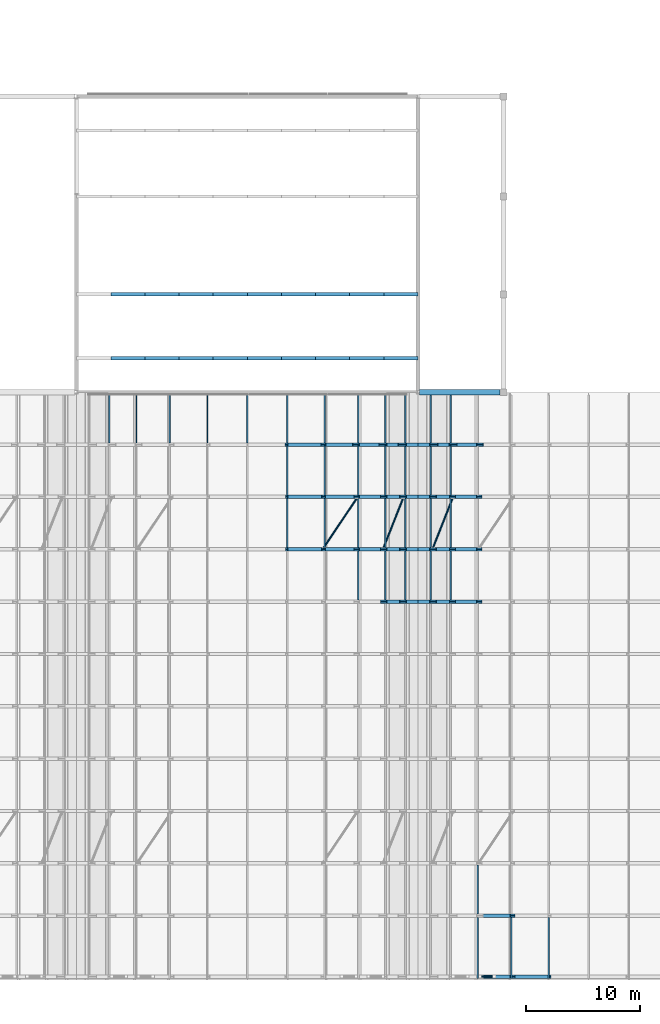
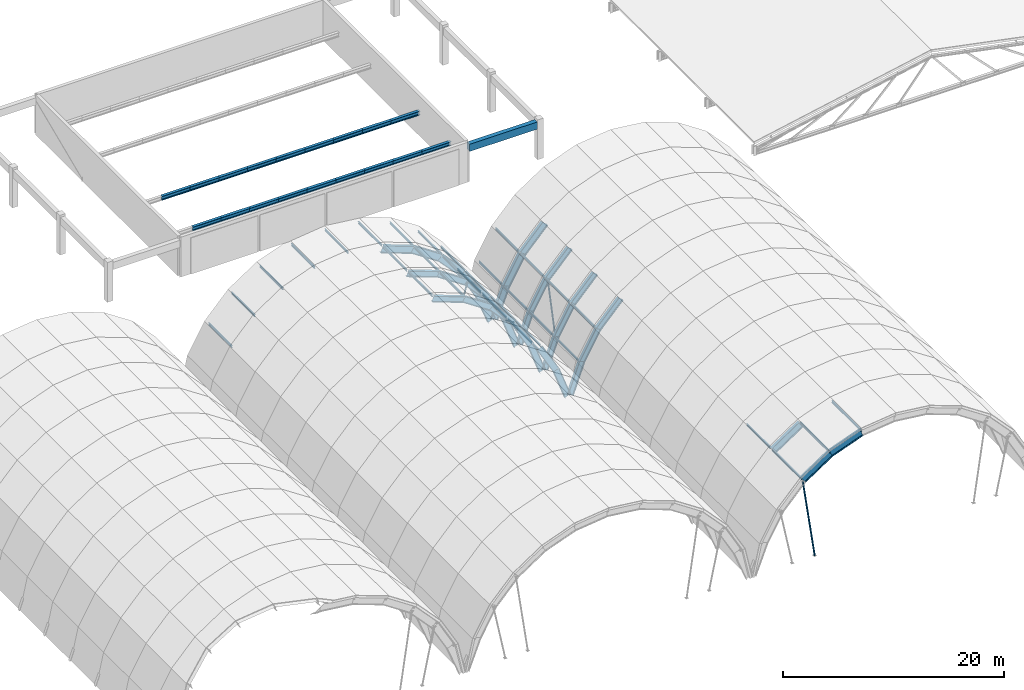
# One storey, part 13 of 47: 68 beams, 22 members.
"""IFC4 building model written with IfcOpenShell, lengths in metres."""

from ifc_helpers import new_model, si_unit, direction, frame, origin, origin_2d, place, context, subcontext, project, spatial, rectangle, hollow_circle, i_section, extrude, material, material_profile, profile_set, type_object, element, save


model = new_model("IFC4")

# Units and contexts
model_context = context("Model", 3, precision=1e-05, world=origin(), true_north=direction((0.0, 1.0)))
body_context = subcontext(model_context, "Body", "Model", "MODEL_VIEW")
ifc_project = project(units=[si_unit("LENGTHUNIT", "METRE"), si_unit("AREAUNIT", "SQUARE_METRE"), si_unit("VOLUMEUNIT", "CUBIC_METRE"), si_unit("PLANEANGLEUNIT", "RADIAN"), si_unit("MASSUNIT", "GRAM", prefix="KILO")], contexts=[model_context])

# Site, building, storey
site_placement = place(None, origin())
site = spatial("IfcSite", under=ifc_project, at=site_placement, CompositionType="ELEMENT")
building_placement = place(site_placement, origin())
building = spatial("IfcBuilding", under=site, at=building_placement, Name="Muzn Square Opera House", CompositionType="ELEMENT")
storey_placement = place(building_placement, frame((0.0, 0.0, 31.0)))
storey = spatial("IfcBuildingStorey", under=building, at=storey_placement, Name="RF-1", CompositionType="ELEMENT", Elevation=31.0)

# Beams
ifc_material_1 = material(Name="Steel S355", Category="steel")
ifc_material_profile_1 = material_profile(ifc_material_1, i_section(OverallWidth=0.300048828125, OverallDepth=0.800048828125, WebThickness=0.017578125, FlangeThickness=0.032958984375, FilletRadius=0.030029296875, at=origin_2d()), Name="HEB 800", Category="steel")
ifc_profile_set_1 = profile_set([ifc_material_profile_1], Name="Steel S355")
beam_type_1 = type_object("IfcBeamType", Name="Gable Arch Rib HEB800", PredefinedType="BEAM", material=ifc_profile_set_1)
for number, where, z_axis, x_axis, name in (
    (1, (91.432861328125, 68.0, -0.644287109375), (0.938647830501, 0.0, -0.344877152471), (0.0, 1.0, 0.0), "Barrel Vault Arch Rib V2-10-S07"),
    (2, (94.677490234375, 68.0, -1.83642578125), (0.832701668502, 0.0, -0.553721889827), (0.0, 1.0, 0.0), "Barrel Vault Arch Rib V2-10-S08"),
):
    element("IfcBeam", number, at=place(storey_placement, frame(where, z_axis=z_axis, x_axis=x_axis)), inside=storey, type_object=beam_type_1, Name=name, PredefinedType="BEAM", context=body_context, shape_type="SweptSolid", body=[
        extrude(i_section(OverallWidth=0.300048828125, OverallDepth=0.800048828125, WebThickness=0.017578125, FlangeThickness=0.032958984375, FilletRadius=0.030029296875, at=origin_2d()), origin(), (0.0, 0.0, 1.0), 3.456787109375),
    ])
beam_1_placement = place(storey_placement, frame((97.555908203125, 68.0, -3.75048828125), z_axis=(0.681076644636, 0.0, -0.732212130555), x_axis=(0.0, 1.0, 0.0)))
element("IfcBeam", 3, at=beam_1_placement, inside=storey, type_object=beam_type_1, Name="Barrel Vault Arch Rib V2-10-S09", PredefinedType="BEAM", context=body_context, shape_type="SweptSolid", body=[
    extrude(i_section(OverallWidth=0.300048828125, OverallDepth=0.800048828125, WebThickness=0.017578125, FlangeThickness=0.032958984375, FilletRadius=0.030029296875, at=origin_2d()), origin(), (0.0, 0.0, 1.0), 3.45654296875),
])
beam_2_placement = place(storey_placement, frame((99.91015625, 68.0, -6.281494140625), z_axis=(0.492117762624, 0.0, -0.870528636927), x_axis=(0.0, 1.0, 0.0)))
element("IfcBeam", 4, at=beam_2_placement, inside=storey, type_object=beam_type_1, Name="Barrel Vault Arch Rib V2-10-S10", PredefinedType="BEAM", context=body_context, shape_type="SweptSolid", body=[
    extrude(i_section(OverallWidth=0.300048828125, OverallDepth=0.800048828125, WebThickness=0.017578125, FlangeThickness=0.032958984375, FilletRadius=0.030029296875, at=origin_2d()), origin(), (0.0, 0.0, 1.0), 3.456787109375),
])
beam_3_placement = place(storey_placement, frame((101.611328125, 68.0, -9.290771484375), z_axis=(0.362708999619, 0.0, -0.931902452832), x_axis=(0.0, 1.0, 0.0)))
element("IfcBeam", 5, at=beam_3_placement, inside=storey, type_object=beam_type_1, Name="Barrel Vault Arch Rib V2-10-S11", PredefinedType="BEAM", context=body_context, shape_type="SweptSolid", body=[
    extrude(i_section(OverallWidth=0.300048828125, OverallDepth=0.800048828125, WebThickness=0.017578125, FlangeThickness=0.032958984375, FilletRadius=0.030029296875, at=origin_2d()), origin(), (0.0, 0.0, 1.0), 3.49755859375),
])
for number, where, z_axis, x_axis, name in (
    (6, (108.444091796875, 21.25, -3.75048828125), (0.832701668502, 0.0, 0.553721889827), (0.0, 1.0, 0.0), "Barrel Vault Arch Rib V3-00-S03"),
    (7, (111.322509765625, 21.25, -1.83642578125), (0.938647830501, 0.0, 0.344877152471), (0.0, 1.0, 0.0), "Barrel Vault Arch Rib V3-00-S04"),
    (8, (108.444091796875, 26.60009765625, -3.75048828125), (0.832701668502, 0.0, 0.553721889827), (0.0, 1.0, 0.0), "Barrel Vault Arch Rib V3-01-S03"),
):
    element("IfcBeam", number, at=place(storey_placement, frame(where, z_axis=z_axis, x_axis=x_axis)), inside=storey, type_object=beam_type_1, Name=name, PredefinedType="BEAM", context=body_context, shape_type="SweptSolid", body=[
        extrude(i_section(OverallWidth=0.300048828125, OverallDepth=0.800048828125, WebThickness=0.017578125, FlangeThickness=0.032958984375, FilletRadius=0.030029296875, at=origin_2d()), origin(), (0.0, 0.0, 1.0), 3.456787109375),
    ])
beam_4_placement = place(storey_placement, frame((103.1201171875, 68.0, -12.550048828125), z_axis=(0.362708999619, 0.0, 0.931902452832), x_axis=(0.0, 1.0, 0.0)))
element("IfcBeam", 9, at=beam_4_placement, inside=storey, type_object=beam_type_1, Name="Barrel Vault Arch Rib V3-10-S00", PredefinedType="BEAM", context=body_context, shape_type="SweptSolid", body=[
    extrude(i_section(OverallWidth=0.300048828125, OverallDepth=0.800048828125, WebThickness=0.017578125, FlangeThickness=0.032958984375, FilletRadius=0.030029296875, at=origin_2d()), origin(), (0.0, 0.0, 1.0), 3.49755859375),
])
beam_5_placement = place(storey_placement, frame((104.388671875, 68.0, -9.290771484375), z_axis=(0.492117762624, 0.0, 0.870528636927), x_axis=(0.0, 1.0, 0.0)))
element("IfcBeam", 10, at=beam_5_placement, inside=storey, type_object=beam_type_1, Name="Barrel Vault Arch Rib V3-10-S01", PredefinedType="BEAM", context=body_context, shape_type="SweptSolid", body=[
    extrude(i_section(OverallWidth=0.300048828125, OverallDepth=0.800048828125, WebThickness=0.017578125, FlangeThickness=0.032958984375, FilletRadius=0.030029296875, at=origin_2d()), origin(), (0.0, 0.0, 1.0), 3.456787109375),
])
beam_6_placement = place(storey_placement, frame((106.08984375, 68.0, -6.281494140625), z_axis=(0.681076644636, 0.0, 0.732212130555), x_axis=(0.0, 1.0, 0.0)))
element("IfcBeam", 11, at=beam_6_placement, inside=storey, type_object=beam_type_1, Name="Barrel Vault Arch Rib V3-10-S02", PredefinedType="BEAM", context=body_context, shape_type="SweptSolid", body=[
    extrude(i_section(OverallWidth=0.300048828125, OverallDepth=0.800048828125, WebThickness=0.017578125, FlangeThickness=0.032958984375, FilletRadius=0.030029296875, at=origin_2d()), origin(), (0.0, 0.0, 1.0), 3.45654296875),
])
ifc_material_2 = material(Name="Concrete C40/50", Category="concrete")
ifc_material_profile_2 = material_profile(ifc_material_2, rectangle(XDim=0.449951171875, YDim=0.800048828125, at=origin_2d()), Name="RCB 450x800", Category="concrete")
ifc_profile_set_2 = profile_set([ifc_material_profile_2], Name="Concrete C40/50")
beam_type_2 = type_object("IfcBeamType", Name="Primary Girder 450x800", PredefinedType="BEAM", material=ifc_profile_set_2)
beam_7_placement = place(storey_placement, frame((103.14208984375, 72.60009765625, 3.75), z_axis=(1.0, 0.0, 0.0), x_axis=(0.0, 1.0, 0.0)))
element("IfcBeam", 12, at=beam_7_placement, inside=storey, type_object=beam_type_2, Name="Primary Girder BM-RF1-BM-PG800-1031_726_1102_726-2769", PredefinedType="BEAM", context=body_context, shape_type="SweptSolid", body=[
    extrude(rectangle(XDim=0.449951171875, YDim=0.800048828125, at=origin_2d()), origin(), (0.0, 0.0, 1.0), 7.06591796875),
])
ifc_material_profile_3 = material_profile(ifc_material_1, i_section(OverallWidth=0.1201171875, OverallDepth=0.239990234375, WebThickness=0.006103515625, FlangeThickness=0.009765625, FilletRadius=0.014892578125, at=origin_2d()), Name="IPE 240", Category="steel")
ifc_profile_set_3 = profile_set([ifc_material_profile_3], Name="Steel S355")
beam_type_3 = type_object("IfcBeamType", Name="Roof Purlin IPE240", PredefinedType="USERDEFINED", material=ifc_profile_set_3)
for number, where, z_axis, x_axis, name in (
    (13, (97.7373046875, 54.340087890625, -3.537109375), (0.0, 1.0, 0.0), (-1.0, 0.0, 0.0), "Barrel Vault Roof Purlin V2-07-P18"),
    (14, (100.13623046875, 54.340087890625, -6.1162109375), (0.0, 1.0, 0.0), (-1.0, 0.0, 0.0), "Barrel Vault Roof Purlin V2-07-P20"),
    (15, (101.869384765625, 54.340087890625, -9.1826171875), (0.0, 1.0, 0.0), (-1.0, 0.0, 0.0), "Barrel Vault Roof Purlin V2-07-P22"),
):
    element("IfcBeam", number, at=place(storey_placement, frame(where, z_axis=z_axis, x_axis=x_axis)), inside=storey, type_object=beam_type_3, Name=name, ObjectType="PURLIN", PredefinedType="USERDEFINED", context=body_context, shape_type="SweptSolid", body=[
        extrude(i_section(OverallWidth=0.1201171875, OverallDepth=0.239990234375, WebThickness=0.006103515625, FlangeThickness=0.009765625, FilletRadius=0.014892578125, at=origin_2d()), origin(), (0.0, 0.0, 1.0), 4.31982421875),
    ])
for number, where, z_axis, x_axis, name in (
    (16, (91.498046875, 58.93994140625, -0.3720703125), (0.0, 1.0, 0.0), (-1.0, 0.0, 0.0), "Barrel Vault Roof Purlin V2-08-P14"),
    (17, (94.80419921875, 58.93994140625, -1.5869140625), (0.0, 1.0, 0.0), (-1.0, 0.0, 0.0), "Barrel Vault Roof Purlin V2-08-P16"),
    (18, (97.7373046875, 58.93994140625, -3.537109375), (0.0, 1.0, 0.0), (-1.0, 0.0, 0.0), "Barrel Vault Roof Purlin V2-08-P18"),
    (19, (100.13623046875, 58.93994140625, -6.1162109375), (0.0, 1.0, 0.0), (-1.0, 0.0, 0.0), "Barrel Vault Roof Purlin V2-08-P20"),
    (20, (101.869384765625, 58.93994140625, -9.1826171875), (0.0, 1.0, 0.0), (-1.0, 0.0, 0.0), "Barrel Vault Roof Purlin V2-08-P22"),
    (21, (91.498046875, 63.5400390625, -0.3720703125), (0.0, 1.0, 0.0), (-1.0, 0.0, 0.0), "Barrel Vault Roof Purlin V2-09-P14"),
    (22, (94.80419921875, 63.5400390625, -1.5869140625), (0.0, 1.0, 0.0), (-1.0, 0.0, 0.0), "Barrel Vault Roof Purlin V2-09-P16"),
    (23, (97.7373046875, 63.5400390625, -3.537109375), (0.0, 1.0, 0.0), (-1.0, 0.0, 0.0), "Barrel Vault Roof Purlin V2-09-P18"),
    (24, (100.13623046875, 63.5400390625, -6.1162109375), (0.0, 1.0, 0.0), (-1.0, 0.0, 0.0), "Barrel Vault Roof Purlin V2-09-P20"),
    (25, (101.869384765625, 63.5400390625, -9.1826171875), (0.0, 1.0, 0.0), (-1.0, 0.0, 0.0), "Barrel Vault Roof Purlin V2-09-P22"),
):
    element("IfcBeam", number, at=place(storey_placement, frame(where, z_axis=z_axis, x_axis=x_axis)), inside=storey, type_object=beam_type_3, Name=name, ObjectType="PURLIN", PredefinedType="USERDEFINED", context=body_context, shape_type="SweptSolid", body=[
        extrude(i_section(OverallWidth=0.1201171875, OverallDepth=0.239990234375, WebThickness=0.006103515625, FlangeThickness=0.009765625, FilletRadius=0.014892578125, at=origin_2d()), origin(), (0.0, 0.0, 1.0), 4.320068359375),
    ])
for number, where, z_axis, x_axis, name in (
    (26, (75.86376953125, 68.139892578125, -6.1162109375), (0.0, 1.0, 0.0), (-1.0, 0.0, 0.0), "Barrel Vault Roof Purlin V2-10-P04"),
    (27, (78.2626953125, 68.139892578125, -3.537109375), (0.0, 1.0, 0.0), (-1.0, 0.0, 0.0), "Barrel Vault Roof Purlin V2-10-P06"),
    (28, (81.19580078125, 68.139892578125, -1.5869140625), (0.0, 1.0, 0.0), (-1.0, 0.0, 0.0), "Barrel Vault Roof Purlin V2-10-P08"),
    (29, (84.501953125, 68.139892578125, -0.3720703125), (0.0, 1.0, 0.0), (-1.0, 0.0, 0.0), "Barrel Vault Roof Purlin V2-10-P10"),
    (30, (88.0, 68.139892578125, 0.0400390625), (0.0, 1.0, 0.0), (-1.0, 0.0, 0.0), "Barrel Vault Roof Purlin V2-10-P12"),
    (31, (91.498046875, 68.139892578125, -0.3720703125), (0.0, 1.0, 0.0), (-1.0, 0.0, 0.0), "Barrel Vault Roof Purlin V2-10-P14"),
    (32, (94.80419921875, 68.139892578125, -1.5869140625), (0.0, 1.0, 0.0), (-1.0, 0.0, 0.0), "Barrel Vault Roof Purlin V2-10-P16"),
    (33, (97.7373046875, 68.139892578125, -3.537109375), (0.0, 1.0, 0.0), (-1.0, 0.0, 0.0), "Barrel Vault Roof Purlin V2-10-P18"),
    (34, (100.13623046875, 68.139892578125, -6.1162109375), (0.0, 1.0, 0.0), (-1.0, 0.0, 0.0), "Barrel Vault Roof Purlin V2-10-P20"),
    (35, (101.869384765625, 68.139892578125, -9.1826171875), (0.0, 1.0, 0.0), (-1.0, 0.0, 0.0), "Barrel Vault Roof Purlin V2-10-P22"),
):
    element("IfcBeam", number, at=place(storey_placement, frame(where, z_axis=z_axis, x_axis=x_axis)), inside=storey, type_object=beam_type_3, Name=name, ObjectType="PURLIN", PredefinedType="USERDEFINED", context=body_context, shape_type="SweptSolid", body=[
        extrude(i_section(OverallWidth=0.1201171875, OverallDepth=0.239990234375, WebThickness=0.006103515625, FlangeThickness=0.009765625, FilletRadius=0.014892578125, at=origin_2d()), origin(), (0.0, 0.0, 1.0), 4.239990234375),
    ])
for number, where, z_axis, x_axis, name in (
    (36, (108.2626953125, 21.090087890625, -3.537109375), (0.0, 1.0, 0.0), (-1.0, 0.0, 0.0), "Barrel Vault Roof Purlin V3-00-P06"),
    (37, (111.19580078125, 21.090087890625, -1.5869140625), (0.0, 1.0, 0.0), (-1.0, 0.0, 0.0), "Barrel Vault Roof Purlin V3-00-P08"),
    (38, (114.501953125, 21.090087890625, -0.3720703125), (0.0, 1.0, 0.0), (-1.0, 0.0, 0.0), "Barrel Vault Roof Purlin V3-00-P10"),
):
    element("IfcBeam", number, at=place(storey_placement, frame(where, z_axis=z_axis, x_axis=x_axis)), inside=storey, type_object=beam_type_3, Name=name, ObjectType="PURLIN", PredefinedType="USERDEFINED", context=body_context, shape_type="SweptSolid", body=[
        extrude(i_section(OverallWidth=0.1201171875, OverallDepth=0.239990234375, WebThickness=0.006103515625, FlangeThickness=0.009765625, FilletRadius=0.014892578125, at=origin_2d()), origin(), (0.0, 0.0, 1.0), 5.369873046875),
    ])
beam_8_placement = place(storey_placement, frame((108.2626953125, 26.739990234375, -3.537109375), z_axis=(0.0, 1.0, 0.0), x_axis=(-1.0, 0.0, 0.0)))
element("IfcBeam", 39, at=beam_8_placement, inside=storey, type_object=beam_type_3, Name="Barrel Vault Roof Purlin V3-01-P06", ObjectType="PURLIN", PredefinedType="USERDEFINED", context=body_context, shape_type="SweptSolid", body=[
    extrude(i_section(OverallWidth=0.1201171875, OverallDepth=0.239990234375, WebThickness=0.006103515625, FlangeThickness=0.009765625, FilletRadius=0.014892578125, at=origin_2d()), origin(), (0.0, 0.0, 1.0), 4.320068359375),
])
for number, where, z_axis, x_axis, name in (
    (40, (104.130615234375, 54.340087890625, -9.1826171875), (0.0, 1.0, 0.0), (-1.0, 0.0, 0.0), "Barrel Vault Roof Purlin V3-07-P02"),
    (41, (105.86376953125, 54.340087890625, -6.1162109375), (0.0, 1.0, 0.0), (-1.0, 0.0, 0.0), "Barrel Vault Roof Purlin V3-07-P04"),
):
    element("IfcBeam", number, at=place(storey_placement, frame(where, z_axis=z_axis, x_axis=x_axis)), inside=storey, type_object=beam_type_3, Name=name, ObjectType="PURLIN", PredefinedType="USERDEFINED", context=body_context, shape_type="SweptSolid", body=[
        extrude(i_section(OverallWidth=0.1201171875, OverallDepth=0.239990234375, WebThickness=0.006103515625, FlangeThickness=0.009765625, FilletRadius=0.014892578125, at=origin_2d()), origin(), (0.0, 0.0, 1.0), 4.31982421875),
    ])
for number, where, z_axis, x_axis, name in (
    (42, (104.130615234375, 58.93994140625, -9.1826171875), (0.0, 1.0, 0.0), (-1.0, 0.0, 0.0), "Barrel Vault Roof Purlin V3-08-P02"),
    (43, (105.86376953125, 58.93994140625, -6.1162109375), (0.0, 1.0, 0.0), (-1.0, 0.0, 0.0), "Barrel Vault Roof Purlin V3-08-P04"),
    (44, (104.130615234375, 63.5400390625, -9.1826171875), (0.0, 1.0, 0.0), (-1.0, 0.0, 0.0), "Barrel Vault Roof Purlin V3-09-P02"),
    (45, (105.86376953125, 63.5400390625, -6.1162109375), (0.0, 1.0, 0.0), (-1.0, 0.0, 0.0), "Barrel Vault Roof Purlin V3-09-P04"),
):
    element("IfcBeam", number, at=place(storey_placement, frame(where, z_axis=z_axis, x_axis=x_axis)), inside=storey, type_object=beam_type_3, Name=name, ObjectType="PURLIN", PredefinedType="USERDEFINED", context=body_context, shape_type="SweptSolid", body=[
        extrude(i_section(OverallWidth=0.1201171875, OverallDepth=0.239990234375, WebThickness=0.006103515625, FlangeThickness=0.009765625, FilletRadius=0.014892578125, at=origin_2d()), origin(), (0.0, 0.0, 1.0), 4.320068359375),
    ])
for number, where, z_axis, x_axis, name in (
    (46, (104.130615234375, 68.139892578125, -9.1826171875), (0.0, 1.0, 0.0), (-1.0, 0.0, 0.0), "Barrel Vault Roof Purlin V3-10-P02"),
    (47, (105.86376953125, 68.139892578125, -6.1162109375), (0.0, 1.0, 0.0), (-1.0, 0.0, 0.0), "Barrel Vault Roof Purlin V3-10-P04"),
):
    element("IfcBeam", number, at=place(storey_placement, frame(where, z_axis=z_axis, x_axis=x_axis)), inside=storey, type_object=beam_type_3, Name=name, ObjectType="PURLIN", PredefinedType="USERDEFINED", context=body_context, shape_type="SweptSolid", body=[
        extrude(i_section(OverallWidth=0.1201171875, OverallDepth=0.239990234375, WebThickness=0.006103515625, FlangeThickness=0.009765625, FilletRadius=0.014892578125, at=origin_2d()), origin(), (0.0, 0.0, 1.0), 4.239990234375),
    ])

# Members
ifc_material_profile_4 = material_profile(ifc_material_1, i_section(OverallWidth=0.300048828125, OverallDepth=0.449951171875, WebThickness=0.013916015625, FlangeThickness=0.02587890625, FilletRadius=0.027099609375, at=origin_2d()), Name="HEB 450", Category="steel")
ifc_profile_set_4 = profile_set([ifc_material_profile_4], Name="Steel S355")
member_type_1 = type_object("IfcMemberType", Name="Stage Truss Chord HEB450", PredefinedType="CHORD", material=ifc_profile_set_4)
for number, where, z_axis, x_axis, name in (
    (48, (76.0, 75.60009765625, 2.39990234375), (1.0, 0.0, 0.0), (0.0, 1.0, 0.0), "Stage Roof Truss Bottom Chord T1-1"),
    (49, (79.0, 75.60009765625, 2.39990234375), (1.0, 0.0, 0.0), (0.0, 1.0, 0.0), "Stage Roof Truss Bottom Chord T1-2"),
    (50, (82.0, 75.60009765625, 2.39990234375), (1.0, 0.0, 0.0), (0.0, 1.0, 0.0), "Stage Roof Truss Bottom Chord T1-3"),
    (51, (85.0, 75.60009765625, 2.39990234375), (1.0, 0.0, 0.0), (0.0, 1.0, 0.0), "Stage Roof Truss Bottom Chord T1-4"),
    (52, (88.0, 75.60009765625, 2.39990234375), (1.0, 0.0, 0.0), (0.0, 1.0, 0.0), "Stage Roof Truss Bottom Chord T1-5"),
    (53, (91.0, 75.60009765625, 2.39990234375), (1.0, 0.0, 0.0), (0.0, 1.0, 0.0), "Stage Roof Truss Bottom Chord T1-6"),
    (54, (94.0, 75.60009765625, 2.39990234375), (1.0, 0.0, 0.0), (0.0, 1.0, 0.0), "Stage Roof Truss Bottom Chord T1-7"),
    (55, (97.0, 75.60009765625, 2.39990234375), (1.0, 0.0, 0.0), (0.0, 1.0, 0.0), "Stage Roof Truss Bottom Chord T1-8"),
    (56, (100.0, 75.60009765625, 2.39990234375), (1.0, 0.0, 0.0), (0.0, 1.0, 0.0), "Stage Roof Truss Bottom Chord T1-9"),
    (57, (76.0, 81.199951171875, 2.39990234375), (1.0, 0.0, 0.0), (0.0, 1.0, 0.0), "Stage Roof Truss Bottom Chord T2-1"),
    (58, (79.0, 81.199951171875, 2.39990234375), (1.0, 0.0, 0.0), (0.0, 1.0, 0.0), "Stage Roof Truss Bottom Chord T2-2"),
    (59, (82.0, 81.199951171875, 2.39990234375), (1.0, 0.0, 0.0), (0.0, 1.0, 0.0), "Stage Roof Truss Bottom Chord T2-3"),
    (60, (85.0, 81.199951171875, 2.39990234375), (1.0, 0.0, 0.0), (0.0, 1.0, 0.0), "Stage Roof Truss Bottom Chord T2-4"),
    (61, (88.0, 81.199951171875, 2.39990234375), (1.0, 0.0, 0.0), (0.0, 1.0, 0.0), "Stage Roof Truss Bottom Chord T2-5"),
    (62, (91.0, 81.199951171875, 2.39990234375), (1.0, 0.0, 0.0), (0.0, 1.0, 0.0), "Stage Roof Truss Bottom Chord T2-6"),
    (63, (94.0, 81.199951171875, 2.39990234375), (1.0, 0.0, 0.0), (0.0, 1.0, 0.0), "Stage Roof Truss Bottom Chord T2-7"),
    (64, (97.0, 81.199951171875, 2.39990234375), (1.0, 0.0, 0.0), (0.0, 1.0, 0.0), "Stage Roof Truss Bottom Chord T2-8"),
    (65, (100.0, 81.199951171875, 2.39990234375), (1.0, 0.0, 0.0), (0.0, 1.0, 0.0), "Stage Roof Truss Bottom Chord T2-9"),
):
    element("IfcMember", number, at=place(storey_placement, frame(where, z_axis=z_axis, x_axis=x_axis)), inside=storey, type_object=member_type_1, Name=name, PredefinedType="CHORD", context=body_context, shape_type="SweptSolid", body=[
        extrude(i_section(OverallWidth=0.300048828125, OverallDepth=0.449951171875, WebThickness=0.013916015625, FlangeThickness=0.02587890625, FilletRadius=0.027099609375, at=origin_2d()), origin(), (0.0, 0.0, 1.0), 3.0),
    ])

# Beams
ifc_material_profile_5 = material_profile(ifc_material_1, i_section(OverallWidth=0.300048828125, OverallDepth=0.64990234375, WebThickness=0.01611328125, FlangeThickness=0.031005859375, FilletRadius=0.027099609375, at=origin_2d()), Name="HEB 650", Category="steel")
ifc_profile_set_5 = profile_set([ifc_material_profile_5], Name="Steel S355")
beam_type_4 = type_object("IfcBeamType", Name="Vault Arch Rib HEB650", PredefinedType="BEAM", material=ifc_profile_set_5)
beam_9_placement = place(storey_placement, frame((99.970703125, 54.199951171875, -6.2373046875), z_axis=(0.492115144444, 0.0, -0.870530117003), x_axis=(0.0, 1.0, 0.0)))
element("IfcBeam", 66, at=beam_9_placement, inside=storey, type_object=beam_type_4, Name="Barrel Vault Arch Rib V2-07-S10", PredefinedType="BEAM", context=body_context, shape_type="SweptSolid", body=[
    extrude(i_section(OverallWidth=0.300048828125, OverallDepth=0.64990234375, WebThickness=0.01611328125, FlangeThickness=0.031005859375, FilletRadius=0.027099609375, at=origin_2d()), origin(), (0.0, 0.0, 1.0), 3.47412109375),
])
beam_10_placement = place(storey_placement, frame((101.680419921875, 54.199951171875, -9.26171875), z_axis=(0.342678144973, 0.0, -0.93945286681), x_axis=(0.0, 1.0, 0.0)))
element("IfcBeam", 67, at=beam_10_placement, inside=storey, type_object=beam_type_4, Name="Barrel Vault Arch Rib V2-07-S11", PredefinedType="BEAM", context=body_context, shape_type="SweptSolid", body=[
    extrude(i_section(OverallWidth=0.300048828125, OverallDepth=0.64990234375, WebThickness=0.01611328125, FlangeThickness=0.031005859375, FilletRadius=0.027099609375, at=origin_2d()), origin(), (0.0, 0.0, 1.0), 3.500244140625),
])
beam_11_placement = place(storey_placement, frame((91.450439453125, 58.800048828125, -0.571533203125), z_axis=(0.938661867851, 0.0, -0.344838944789), x_axis=(0.0, 1.0, 0.0)))
element("IfcBeam", 68, at=beam_11_placement, inside=storey, type_object=beam_type_4, Name="Barrel Vault Arch Rib V2-08-S07", PredefinedType="BEAM", context=body_context, shape_type="SweptSolid", body=[
    extrude(i_section(OverallWidth=0.300048828125, OverallDepth=0.64990234375, WebThickness=0.01611328125, FlangeThickness=0.031005859375, FilletRadius=0.027099609375, at=origin_2d()), origin(), (0.0, 0.0, 1.0), 3.47412109375),
])
for number, where, z_axis, x_axis, name in (
    (69, (94.71142578125, 58.800048828125, -1.76953125), (0.832698370736, 0.0, -0.553726849063), (0.0, 1.0, 0.0), "Barrel Vault Arch Rib V2-08-S08"),
    (70, (97.6044921875, 58.800048828125, -3.693359375), (0.681065393401, 0.0, -0.732222595876), (0.0, 1.0, 0.0), "Barrel Vault Arch Rib V2-08-S09"),
):
    element("IfcBeam", number, at=place(storey_placement, frame(where, z_axis=z_axis, x_axis=x_axis)), inside=storey, type_object=beam_type_4, Name=name, PredefinedType="BEAM", context=body_context, shape_type="SweptSolid", body=[
        extrude(i_section(OverallWidth=0.300048828125, OverallDepth=0.64990234375, WebThickness=0.01611328125, FlangeThickness=0.031005859375, FilletRadius=0.027099609375, at=origin_2d()), origin(), (0.0, 0.0, 1.0), 3.474365234375),
    ])
beam_12_placement = place(storey_placement, frame((99.970703125, 58.800048828125, -6.2373046875), z_axis=(0.492115144444, 0.0, -0.870530117003), x_axis=(0.0, 1.0, 0.0)))
element("IfcBeam", 71, at=beam_12_placement, inside=storey, type_object=beam_type_4, Name="Barrel Vault Arch Rib V2-08-S10", PredefinedType="BEAM", context=body_context, shape_type="SweptSolid", body=[
    extrude(i_section(OverallWidth=0.300048828125, OverallDepth=0.64990234375, WebThickness=0.01611328125, FlangeThickness=0.031005859375, FilletRadius=0.027099609375, at=origin_2d()), origin(), (0.0, 0.0, 1.0), 3.47412109375),
])
beam_13_placement = place(storey_placement, frame((101.680419921875, 58.800048828125, -9.26171875), z_axis=(0.342678144973, 0.0, -0.93945286681), x_axis=(0.0, 1.0, 0.0)))
element("IfcBeam", 72, at=beam_13_placement, inside=storey, type_object=beam_type_4, Name="Barrel Vault Arch Rib V2-08-S11", PredefinedType="BEAM", context=body_context, shape_type="SweptSolid", body=[
    extrude(i_section(OverallWidth=0.300048828125, OverallDepth=0.64990234375, WebThickness=0.01611328125, FlangeThickness=0.031005859375, FilletRadius=0.027099609375, at=origin_2d()), origin(), (0.0, 0.0, 1.0), 3.500244140625),
])
beam_14_placement = place(storey_placement, frame((91.450439453125, 63.39990234375, -0.571533203125), z_axis=(0.938661867851, 0.0, -0.344838944789), x_axis=(0.0, 1.0, 0.0)))
element("IfcBeam", 73, at=beam_14_placement, inside=storey, type_object=beam_type_4, Name="Barrel Vault Arch Rib V2-09-S07", PredefinedType="BEAM", context=body_context, shape_type="SweptSolid", body=[
    extrude(i_section(OverallWidth=0.300048828125, OverallDepth=0.64990234375, WebThickness=0.01611328125, FlangeThickness=0.031005859375, FilletRadius=0.027099609375, at=origin_2d()), origin(), (0.0, 0.0, 1.0), 3.47412109375),
])
for number, where, z_axis, x_axis, name in (
    (74, (94.71142578125, 63.39990234375, -1.76953125), (0.832698370736, 0.0, -0.553726849063), (0.0, 1.0, 0.0), "Barrel Vault Arch Rib V2-09-S08"),
    (75, (97.6044921875, 63.39990234375, -3.693359375), (0.681065393401, 0.0, -0.732222595876), (0.0, 1.0, 0.0), "Barrel Vault Arch Rib V2-09-S09"),
):
    element("IfcBeam", number, at=place(storey_placement, frame(where, z_axis=z_axis, x_axis=x_axis)), inside=storey, type_object=beam_type_4, Name=name, PredefinedType="BEAM", context=body_context, shape_type="SweptSolid", body=[
        extrude(i_section(OverallWidth=0.300048828125, OverallDepth=0.64990234375, WebThickness=0.01611328125, FlangeThickness=0.031005859375, FilletRadius=0.027099609375, at=origin_2d()), origin(), (0.0, 0.0, 1.0), 3.474365234375),
    ])
beam_15_placement = place(storey_placement, frame((99.970703125, 63.39990234375, -6.2373046875), z_axis=(0.492115144444, 0.0, -0.870530117003), x_axis=(0.0, 1.0, 0.0)))
element("IfcBeam", 76, at=beam_15_placement, inside=storey, type_object=beam_type_4, Name="Barrel Vault Arch Rib V2-09-S10", PredefinedType="BEAM", context=body_context, shape_type="SweptSolid", body=[
    extrude(i_section(OverallWidth=0.300048828125, OverallDepth=0.64990234375, WebThickness=0.01611328125, FlangeThickness=0.031005859375, FilletRadius=0.027099609375, at=origin_2d()), origin(), (0.0, 0.0, 1.0), 3.47412109375),
])
for number, where, z_axis, x_axis, name in (
    (77, (101.680419921875, 63.39990234375, -9.26171875), (0.342678144973, 0.0, -0.93945286681), (0.0, 1.0, 0.0), "Barrel Vault Arch Rib V2-09-S11"),
    (78, (103.1201171875, 54.199951171875, -12.550048828125), (0.342678144973, 0.0, 0.93945286681), (0.0, 1.0, 0.0), "Barrel Vault Arch Rib V3-07-S00"),
):
    element("IfcBeam", number, at=place(storey_placement, frame(where, z_axis=z_axis, x_axis=x_axis)), inside=storey, type_object=beam_type_4, Name=name, PredefinedType="BEAM", context=body_context, shape_type="SweptSolid", body=[
        extrude(i_section(OverallWidth=0.300048828125, OverallDepth=0.64990234375, WebThickness=0.01611328125, FlangeThickness=0.031005859375, FilletRadius=0.027099609375, at=origin_2d()), origin(), (0.0, 0.0, 1.0), 3.500244140625),
    ])
beam_16_placement = place(storey_placement, frame((104.319580078125, 54.199951171875, -9.26171875), z_axis=(0.492115144444, 0.0, 0.870530117003), x_axis=(0.0, 1.0, 0.0)))
element("IfcBeam", 79, at=beam_16_placement, inside=storey, type_object=beam_type_4, Name="Barrel Vault Arch Rib V3-07-S01", PredefinedType="BEAM", context=body_context, shape_type="SweptSolid", body=[
    extrude(i_section(OverallWidth=0.300048828125, OverallDepth=0.64990234375, WebThickness=0.01611328125, FlangeThickness=0.031005859375, FilletRadius=0.027099609375, at=origin_2d()), origin(), (0.0, 0.0, 1.0), 3.47412109375),
])
beam_17_placement = place(storey_placement, frame((106.029296875, 54.199951171875, -6.2373046875), z_axis=(0.681065393401, 0.0, 0.732222595876), x_axis=(0.0, 1.0, 0.0)))
element("IfcBeam", 80, at=beam_17_placement, inside=storey, type_object=beam_type_4, Name="Barrel Vault Arch Rib V3-07-S02", PredefinedType="BEAM", context=body_context, shape_type="SweptSolid", body=[
    extrude(i_section(OverallWidth=0.300048828125, OverallDepth=0.64990234375, WebThickness=0.01611328125, FlangeThickness=0.031005859375, FilletRadius=0.027099609375, at=origin_2d()), origin(), (0.0, 0.0, 1.0), 3.474365234375),
])
beam_18_placement = place(storey_placement, frame((103.1201171875, 58.800048828125, -12.550048828125), z_axis=(0.342678144973, 0.0, 0.93945286681), x_axis=(0.0, 1.0, 0.0)))
element("IfcBeam", 81, at=beam_18_placement, inside=storey, type_object=beam_type_4, Name="Barrel Vault Arch Rib V3-08-S00", PredefinedType="BEAM", context=body_context, shape_type="SweptSolid", body=[
    extrude(i_section(OverallWidth=0.300048828125, OverallDepth=0.64990234375, WebThickness=0.01611328125, FlangeThickness=0.031005859375, FilletRadius=0.027099609375, at=origin_2d()), origin(), (0.0, 0.0, 1.0), 3.500244140625),
])
beam_19_placement = place(storey_placement, frame((104.319580078125, 58.800048828125, -9.26171875), z_axis=(0.492115144444, 0.0, 0.870530117003), x_axis=(0.0, 1.0, 0.0)))
element("IfcBeam", 82, at=beam_19_placement, inside=storey, type_object=beam_type_4, Name="Barrel Vault Arch Rib V3-08-S01", PredefinedType="BEAM", context=body_context, shape_type="SweptSolid", body=[
    extrude(i_section(OverallWidth=0.300048828125, OverallDepth=0.64990234375, WebThickness=0.01611328125, FlangeThickness=0.031005859375, FilletRadius=0.027099609375, at=origin_2d()), origin(), (0.0, 0.0, 1.0), 3.47412109375),
])
beam_20_placement = place(storey_placement, frame((106.029296875, 58.800048828125, -6.2373046875), z_axis=(0.681065393401, 0.0, 0.732222595876), x_axis=(0.0, 1.0, 0.0)))
element("IfcBeam", 83, at=beam_20_placement, inside=storey, type_object=beam_type_4, Name="Barrel Vault Arch Rib V3-08-S02", PredefinedType="BEAM", context=body_context, shape_type="SweptSolid", body=[
    extrude(i_section(OverallWidth=0.300048828125, OverallDepth=0.64990234375, WebThickness=0.01611328125, FlangeThickness=0.031005859375, FilletRadius=0.027099609375, at=origin_2d()), origin(), (0.0, 0.0, 1.0), 3.474365234375),
])
beam_21_placement = place(storey_placement, frame((103.1201171875, 63.39990234375, -12.550048828125), z_axis=(0.342678144973, 0.0, 0.93945286681), x_axis=(0.0, 1.0, 0.0)))
element("IfcBeam", 84, at=beam_21_placement, inside=storey, type_object=beam_type_4, Name="Barrel Vault Arch Rib V3-09-S00", PredefinedType="BEAM", context=body_context, shape_type="SweptSolid", body=[
    extrude(i_section(OverallWidth=0.300048828125, OverallDepth=0.64990234375, WebThickness=0.01611328125, FlangeThickness=0.031005859375, FilletRadius=0.027099609375, at=origin_2d()), origin(), (0.0, 0.0, 1.0), 3.500244140625),
])
beam_22_placement = place(storey_placement, frame((104.319580078125, 63.39990234375, -9.26171875), z_axis=(0.492115144444, 0.0, 0.870530117003), x_axis=(0.0, 1.0, 0.0)))
element("IfcBeam", 85, at=beam_22_placement, inside=storey, type_object=beam_type_4, Name="Barrel Vault Arch Rib V3-09-S01", PredefinedType="BEAM", context=body_context, shape_type="SweptSolid", body=[
    extrude(i_section(OverallWidth=0.300048828125, OverallDepth=0.64990234375, WebThickness=0.01611328125, FlangeThickness=0.031005859375, FilletRadius=0.027099609375, at=origin_2d()), origin(), (0.0, 0.0, 1.0), 3.47412109375),
])
beam_23_placement = place(storey_placement, frame((106.029296875, 63.39990234375, -6.2373046875), z_axis=(0.681065393401, 0.0, 0.732222595876), x_axis=(0.0, 1.0, 0.0)))
element("IfcBeam", 86, at=beam_23_placement, inside=storey, type_object=beam_type_4, Name="Barrel Vault Arch Rib V3-09-S02", PredefinedType="BEAM", context=body_context, shape_type="SweptSolid", body=[
    extrude(i_section(OverallWidth=0.300048828125, OverallDepth=0.64990234375, WebThickness=0.01611328125, FlangeThickness=0.031005859375, FilletRadius=0.027099609375, at=origin_2d()), origin(), (0.0, 0.0, 1.0), 3.474365234375),
])

# Members
ifc_material_profile_6 = material_profile(ifc_material_1, hollow_circle(Radius=0.084228515625, WallThickness=0.010009765625, at=origin_2d()), Name="CHS 168.3x10", Category="steel")
ifc_profile_set_6 = profile_set([ifc_material_profile_6], Name="Steel S355")
member_type_2 = type_object("IfcMemberType", Name="Vault Wind Brace CHS168", PredefinedType="BRACE", material=ifc_profile_set_6)
for number, where, z_axis, x_axis, name in (
    (87, (94.71142578125, 58.93994140625, -1.76953125), (0.521854332426, 0.779258431416, -0.347022121478), (-0.830892639322, 0.55643276496, 0.0), "Barrel Vault Wind Brace V2-08-14"),
    (88, (99.970703125, 58.93994140625, -6.2373046875), (0.308404189508, 0.779267761438, -0.545553491308), (-0.929829464055, 0.367990716969, 0.0), "Barrel Vault Wind Brace V2-08-18"),
):
    element("IfcMember", number, at=place(storey_placement, frame(where, z_axis=z_axis, x_axis=x_axis)), inside=storey, type_object=member_type_2, Name=name, PredefinedType="BRACE", context=body_context, shape_type="SweptSolid", body=[
        extrude(hollow_circle(Radius=0.084228515625, WallThickness=0.010009765625, at=origin_2d()), origin(), (0.0, 0.0, 1.0), 5.543701171875),
    ])
member_1_placement = place(storey_placement, frame((109.694091796875, 21.25, -12.580078125), z_axis=(-0.143032519622, 0.0, 0.989717989293), x_axis=(0.0, -1.0, 0.0)))
element("IfcMember", 89, at=member_1_placement, inside=storey, type_object=member_type_2, Name="Exposed South Gable Arch Truss Web V3-W02", PredefinedType="BRACE", context=body_context, shape_type="SweptSolid", body=[
    extrude(hollow_circle(Radius=0.084228515625, WallThickness=0.010009765625, at=origin_2d()), origin(), (0.0, 0.0, 1.0), 8.7392578125),
])
member_2_placement = place(storey_placement, frame((104.319580078125, 58.93994140625, -9.26171875), z_axis=(0.308404189508, 0.779267761438, 0.545553491308), x_axis=(-0.929829464055, 0.367990716969, 0.0)))
element("IfcMember", 90, at=member_2_placement, inside=storey, type_object=member_type_2, Name="Barrel Vault Wind Brace V3-08-04", PredefinedType="BRACE", context=body_context, shape_type="SweptSolid", body=[
    extrude(hollow_circle(Radius=0.084228515625, WallThickness=0.010009765625, at=origin_2d()), origin(), (0.0, 0.0, 1.0), 5.543701171875),
])

save(model, "model.ifc")
